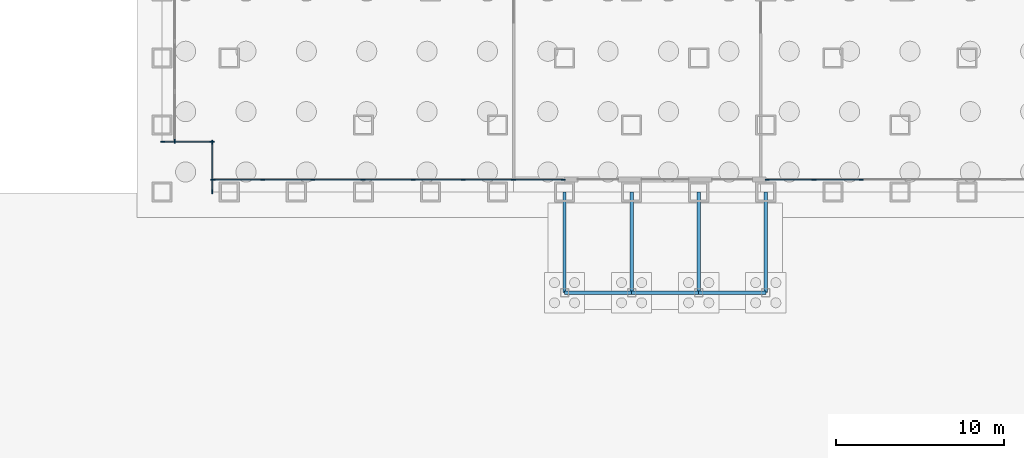
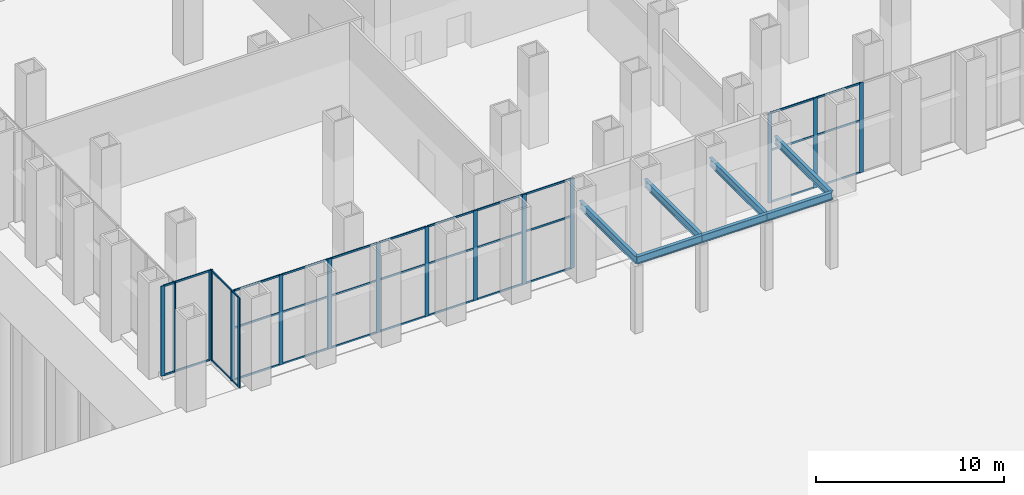
# One storey, part 6 of 17: 47 members, 7 beams, 5 elements without a shape of their own.
"""IFC4 building model written with IfcOpenShell, lengths in metres."""

from ifc_helpers import new_model, si_unit, direction, frame, origin, origin_2d, place, context, subcontext, project, spatial, rectangle, i_section, extrude, material, material_profile, profile_set, type_object, element, aggregate, save


model = new_model("IFC4")

# Units and contexts
model_context = context("Model", 3, precision=1e-05, world=origin(), true_north=direction((0.0, 1.0)))
body_context = subcontext(model_context, "Body", "Model", "MODEL_VIEW")
ifc_project = project(units=[si_unit("LENGTHUNIT", "METRE"), si_unit("AREAUNIT", "SQUARE_METRE"), si_unit("VOLUMEUNIT", "CUBIC_METRE"), si_unit("PLANEANGLEUNIT", "RADIAN"), si_unit("MASSUNIT", "GRAM", prefix="KILO")], contexts=[model_context])

# Site, building, storey
site_placement = place(None, origin())
site = spatial("IfcSite", under=ifc_project, at=site_placement, CompositionType="ELEMENT")
building_placement = place(site_placement, origin())
building = spatial("IfcBuilding", under=site, at=building_placement, Name="Rimbunsela Tower", CompositionType="ELEMENT")
storey_placement = place(building_placement, origin())
storey = spatial("IfcBuildingStorey", under=building, at=storey_placement, Name="L00", CompositionType="ELEMENT", Elevation=0.0)

# Curtain wall, members
ifc_material_1 = material(Name="Aluminium curtain wall", Category="aluminium")
curtain_wall_type_1 = type_object("IfcCurtainWallType", Name="Podium glazing", PredefinedType="USERDEFINED", material=ifc_material_1)
curtain_wall_1_placement = place(storey_placement, origin())
curtain_wall_1 = element("IfcCurtainWall", 1, at=curtain_wall_1_placement, inside=storey, type_object=curtain_wall_type_1, Name="Podium glazing L00", ObjectType="PODIUM GLAZING", PredefinedType="USERDEFINED")
ifc_material_2 = material(Name="Aluminium mullion", Category="aluminium")
ifc_material_profile_1 = material_profile(ifc_material_2, rectangle(XDim=0.06005859375, YDim=0.25, at=origin_2d()), Name="Mullion 60x250")
ifc_profile_set_1 = profile_set([ifc_material_profile_1], Name="Aluminium mullion")
member_type_1 = type_object("IfcMemberType", Name="Curtain wall mullion 60x250", PredefinedType="MULLION", material=ifc_profile_set_1)
member_1_placement = place(storey_placement, frame((-2.969970703125, -3.25, 0.0), z_axis=(0.0, 0.0, 1.0), x_axis=(0.0, 1.0, 0.0)))
member_1 = element("IfcMember", 2, at=member_1_placement, type_object=member_type_1, Name="CW1 mullion 1", PredefinedType="MULLION", context=body_context, shape_type="SweptSolid", body=[
    extrude(rectangle(XDim=0.06005859375, YDim=0.25, at=origin_2d()), origin(), (0.0, 0.0, 1.0), 5.85009765625),
])
member_2_placement = place(storey_placement, frame((-0.007080078125, -3.25, 0.0), z_axis=(0.0, 0.0, 1.0), x_axis=(0.0, 1.0, 0.0)))
member_2 = element("IfcMember", 3, at=member_2_placement, type_object=member_type_1, Name="CW1 mullion 2", PredefinedType="MULLION", context=body_context, shape_type="SweptSolid", body=[
    extrude(rectangle(XDim=0.06005859375, YDim=0.25, at=origin_2d()), origin(), (0.0, 0.0, 1.0), 5.85009765625),
])
member_3_placement = place(storey_placement, frame((2.985595703125, -3.25, 0.0), z_axis=(0.0, 0.0, 1.0), x_axis=(0.0, 1.0, 0.0)))
member_3 = element("IfcMember", 4, at=member_3_placement, type_object=member_type_1, Name="CW1 mullion 3", PredefinedType="MULLION", context=body_context, shape_type="SweptSolid", body=[
    extrude(rectangle(XDim=0.06005859375, YDim=0.25, at=origin_2d()), origin(), (0.0, 0.0, 1.0), 5.85009765625),
])
member_4_placement = place(storey_placement, frame((5.978515625, -3.25, 0.0), z_axis=(0.0, 0.0, 1.0), x_axis=(0.0, 1.0, 0.0)))
member_4 = element("IfcMember", 5, at=member_4_placement, type_object=member_type_1, Name="CW1 mullion 4", PredefinedType="MULLION", context=body_context, shape_type="SweptSolid", body=[
    extrude(rectangle(XDim=0.06005859375, YDim=0.25, at=origin_2d()), origin(), (0.0, 0.0, 1.0), 5.85009765625),
])
member_5_placement = place(storey_placement, frame((8.971435546875, -3.25, 0.0), z_axis=(0.0, 0.0, 1.0), x_axis=(0.0, 1.0, 0.0)))
member_5 = element("IfcMember", 6, at=member_5_placement, type_object=member_type_1, Name="CW1 mullion 5", PredefinedType="MULLION", context=body_context, shape_type="SweptSolid", body=[
    extrude(rectangle(XDim=0.06005859375, YDim=0.25, at=origin_2d()), origin(), (0.0, 0.0, 1.0), 5.85009765625),
])
member_6_placement = place(storey_placement, frame((11.96435546875, -3.25, 0.0), z_axis=(0.0, 0.0, 1.0), x_axis=(0.0, 1.0, 0.0)))
member_6 = element("IfcMember", 7, at=member_6_placement, type_object=member_type_1, Name="CW1 mullion 6", PredefinedType="MULLION", context=body_context, shape_type="SweptSolid", body=[
    extrude(rectangle(XDim=0.06005859375, YDim=0.25, at=origin_2d()), origin(), (0.0, 0.0, 1.0), 5.85009765625),
])
member_7_placement = place(storey_placement, frame((14.95703125, -3.25, 0.0), z_axis=(0.0, 0.0, 1.0), x_axis=(0.0, 1.0, 0.0)))
member_7 = element("IfcMember", 8, at=member_7_placement, type_object=member_type_1, Name="CW1 mullion 7", PredefinedType="MULLION", context=body_context, shape_type="SweptSolid", body=[
    extrude(rectangle(XDim=0.06005859375, YDim=0.25, at=origin_2d()), origin(), (0.0, 0.0, 1.0), 5.85009765625),
])
member_8_placement = place(storey_placement, frame((17.919921875, -3.25, 0.0), z_axis=(0.0, 0.0, 1.0), x_axis=(0.0, 1.0, 0.0)))
member_8 = element("IfcMember", 9, at=member_8_placement, type_object=member_type_1, Name="CW1 mullion 8", PredefinedType="MULLION", context=body_context, shape_type="SweptSolid", body=[
    extrude(rectangle(XDim=0.06005859375, YDim=0.25, at=origin_2d()), origin(), (0.0, 0.0, 1.0), 5.85009765625),
])

curtain_wall_2_placement = place(storey_placement, origin())
curtain_wall_2 = element("IfcCurtainWall", 10, at=curtain_wall_2_placement, inside=storey, type_object=curtain_wall_type_1, Name="Podium glazing L00", ObjectType="PODIUM GLAZING", PredefinedType="USERDEFINED")
member_9_placement = place(storey_placement, frame((30.080078125, -3.25, 0.0), z_axis=(0.0, 0.0, 1.0), x_axis=(0.0, 1.0, 0.0)))
member_9 = element("IfcMember", 11, at=member_9_placement, type_object=member_type_1, Name="CW1 mullion 1", PredefinedType="MULLION", context=body_context, shape_type="SweptSolid", body=[
    extrude(rectangle(XDim=0.06005859375, YDim=0.25, at=origin_2d()), origin(), (0.0, 0.0, 1.0), 5.85009765625),
])
member_10_placement = place(storey_placement, frame((32.875, -3.25, 0.0), z_axis=(0.0, 0.0, 1.0), x_axis=(0.0, 1.0, 0.0)))
member_10 = element("IfcMember", 12, at=member_10_placement, type_object=member_type_1, Name="CW1 mullion 2", PredefinedType="MULLION", context=body_context, shape_type="SweptSolid", body=[
    extrude(rectangle(XDim=0.06005859375, YDim=0.25, at=origin_2d()), origin(), (0.0, 0.0, 1.0), 5.85009765625),
])
member_11_placement = place(storey_placement, frame((35.699951171875, -3.25, 0.0), z_axis=(0.0, 0.0, 1.0), x_axis=(0.0, 1.0, 0.0)))
member_11 = element("IfcMember", 13, at=member_11_placement, type_object=member_type_1, Name="CW1 mullion 3", PredefinedType="MULLION", context=body_context, shape_type="SweptSolid", body=[
    extrude(rectangle(XDim=0.06005859375, YDim=0.25, at=origin_2d()), origin(), (0.0, 0.0, 1.0), 5.85009765625),
])

# Curtain wall, member
curtain_wall_3_placement = place(storey_placement, origin())
curtain_wall_3 = element("IfcCurtainWall", 14, at=curtain_wall_3_placement, inside=storey, type_object=curtain_wall_type_1, Name="Podium glazing L00", ObjectType="PODIUM GLAZING", PredefinedType="USERDEFINED")
member_12_placement = place(storey_placement, frame((-5.25, -0.969970703125, 0.0), z_axis=(0.0, 0.0, 1.0), x_axis=(1.0, 0.0, 0.0)))
member_12 = element("IfcMember", 15, at=member_12_placement, type_object=member_type_1, Name="CW1 mullion 15", PredefinedType="MULLION", context=body_context, shape_type="SweptSolid", body=[
    extrude(rectangle(XDim=0.06005859375, YDim=0.25, at=origin_2d()), origin(), (0.0, 0.0, 1.0), 5.85009765625),
])
aggregate(curtain_wall_3, [member_12])

# Curtain wall, members
ifc_material_3 = material(Name="Aluminium curtain wall", Category="aluminium")
curtain_wall_type_2 = type_object("IfcCurtainWallType", Name="Corner glazing", PredefinedType="USERDEFINED", material=ifc_material_3)
curtain_wall_4_placement = place(storey_placement, origin())
curtain_wall_4 = element("IfcCurtainWall", 16, at=curtain_wall_4_placement, inside=storey, type_object=curtain_wall_type_2, Name="Corner glazing L00", ObjectType="CORNER GLAZING", PredefinedType="USERDEFINED")
member_13_placement = place(storey_placement, frame((-5.969970703125, -1.0, 0.0), z_axis=(0.0, 0.0, 1.0), x_axis=(0.0, 1.0, 0.0)))
member_13 = element("IfcMember", 17, at=member_13_placement, type_object=member_type_1, Name="CW5 mullion 1", PredefinedType="MULLION", context=body_context, shape_type="SweptSolid", body=[
    extrude(rectangle(XDim=0.06005859375, YDim=0.25, at=origin_2d()), origin(), (0.0, 0.0, 1.0), 5.85009765625),
])
member_14_placement = place(storey_placement, frame((-3.030029296875, -1.0, 0.0), z_axis=(0.0, 0.0, 1.0), x_axis=(0.0, 1.0, 0.0)))
member_14 = element("IfcMember", 18, at=member_14_placement, type_object=member_type_1, Name="CW5 mullion 2", PredefinedType="MULLION", context=body_context, shape_type="SweptSolid", body=[
    extrude(rectangle(XDim=0.06005859375, YDim=0.25, at=origin_2d()), origin(), (0.0, 0.0, 1.0), 5.85009765625),
])

curtain_wall_5_placement = place(storey_placement, origin())
curtain_wall_5 = element("IfcCurtainWall", 19, at=curtain_wall_5_placement, inside=storey, type_object=curtain_wall_type_2, Name="Corner glazing L00", ObjectType="CORNER GLAZING", PredefinedType="USERDEFINED")
member_15_placement = place(storey_placement, frame((-3.0, -1.030029296875, 0.0), z_axis=(0.0, 0.0, 1.0), x_axis=(1.0, 0.0, 0.0)))
member_15 = element("IfcMember", 20, at=member_15_placement, type_object=member_type_1, Name="CW5 mullion 1", PredefinedType="MULLION", context=body_context, shape_type="SweptSolid", body=[
    extrude(rectangle(XDim=0.06005859375, YDim=0.25, at=origin_2d()), origin(), (0.0, 0.0, 1.0), 5.85009765625),
])
member_16_placement = place(storey_placement, frame((-3.0, -3.969970703125, 0.0), z_axis=(0.0, 0.0, 1.0), x_axis=(1.0, 0.0, 0.0)))
member_16 = element("IfcMember", 21, at=member_16_placement, type_object=member_type_1, Name="CW5 mullion 2", PredefinedType="MULLION", context=body_context, shape_type="SweptSolid", body=[
    extrude(rectangle(XDim=0.06005859375, YDim=0.25, at=origin_2d()), origin(), (0.0, 0.0, 1.0), 5.85009765625),
])

# Member
ifc_material_4 = material(Name="Aluminium transom", Category="aluminium")
ifc_material_profile_2 = material_profile(ifc_material_4, rectangle(XDim=0.06005859375, YDim=0.1201171875, at=origin_2d()), Name="Transom 60x120")
ifc_profile_set_2 = profile_set([ifc_material_profile_2], Name="Aluminium transom")
member_type_2 = type_object("IfcMemberType", Name="Curtain wall transom 60x120", PredefinedType="USERDEFINED", material=ifc_profile_set_2)
member_17_placement = place(storey_placement, frame((-2.93994140625, -3.25, 0.030029296875), z_axis=(1.0, 0.0, 0.0), x_axis=(0.0, 1.0, 0.0)))
member_17 = element("IfcMember", 22, at=member_17_placement, type_object=member_type_2, Name="CW1 transom 1.1", ObjectType="TRANSOM", PredefinedType="USERDEFINED", context=body_context, shape_type="SweptSolid", body=[
    extrude(rectangle(XDim=0.06005859375, YDim=0.1201171875, at=origin_2d()), origin(), (0.0, 0.0, 1.0), 2.90283203125),
])

member_18_placement = place(storey_placement, frame((-2.93994140625, -3.25, 3.39990234375), z_axis=(1.0, 0.0, 0.0), x_axis=(0.0, 1.0, 0.0)))
member_18 = element("IfcMember", 23, at=member_18_placement, type_object=member_type_2, Name="CW1 transom 1.2", ObjectType="TRANSOM", PredefinedType="USERDEFINED", context=body_context, shape_type="SweptSolid", body=[
    extrude(rectangle(XDim=0.06005859375, YDim=0.1201171875, at=origin_2d()), origin(), (0.0, 0.0, 1.0), 2.90283203125),
])

member_19_placement = place(storey_placement, frame((-2.93994140625, -3.25, 5.820068359375), z_axis=(1.0, 0.0, 0.0), x_axis=(0.0, 1.0, 0.0)))
member_19 = element("IfcMember", 24, at=member_19_placement, type_object=member_type_2, Name="CW1 transom 1.3", ObjectType="TRANSOM", PredefinedType="USERDEFINED", context=body_context, shape_type="SweptSolid", body=[
    extrude(rectangle(XDim=0.06005859375, YDim=0.1201171875, at=origin_2d()), origin(), (0.0, 0.0, 1.0), 2.90283203125),
])

member_20_placement = place(storey_placement, frame((0.02294921875, -3.25, 0.030029296875), z_axis=(1.0, 0.0, 0.0), x_axis=(0.0, 1.0, 0.0)))
member_20 = element("IfcMember", 25, at=member_20_placement, type_object=member_type_2, Name="CW1 transom 2.1", ObjectType="TRANSOM", PredefinedType="USERDEFINED", context=body_context, shape_type="SweptSolid", body=[
    extrude(rectangle(XDim=0.06005859375, YDim=0.1201171875, at=origin_2d()), origin(), (0.0, 0.0, 1.0), 2.932861328125),
])

member_21_placement = place(storey_placement, frame((0.02294921875, -3.25, 3.39990234375), z_axis=(1.0, 0.0, 0.0), x_axis=(0.0, 1.0, 0.0)))
member_21 = element("IfcMember", 26, at=member_21_placement, type_object=member_type_2, Name="CW1 transom 2.2", ObjectType="TRANSOM", PredefinedType="USERDEFINED", context=body_context, shape_type="SweptSolid", body=[
    extrude(rectangle(XDim=0.06005859375, YDim=0.1201171875, at=origin_2d()), origin(), (0.0, 0.0, 1.0), 2.932861328125),
])

member_22_placement = place(storey_placement, frame((0.02294921875, -3.25, 5.820068359375), z_axis=(1.0, 0.0, 0.0), x_axis=(0.0, 1.0, 0.0)))
member_22 = element("IfcMember", 27, at=member_22_placement, type_object=member_type_2, Name="CW1 transom 2.3", ObjectType="TRANSOM", PredefinedType="USERDEFINED", context=body_context, shape_type="SweptSolid", body=[
    extrude(rectangle(XDim=0.06005859375, YDim=0.1201171875, at=origin_2d()), origin(), (0.0, 0.0, 1.0), 2.932861328125),
])

member_23_placement = place(storey_placement, frame((3.015625, -3.25, 0.030029296875), z_axis=(1.0, 0.0, 0.0), x_axis=(0.0, 1.0, 0.0)))
member_23 = element("IfcMember", 28, at=member_23_placement, type_object=member_type_2, Name="CW1 transom 3.1", ObjectType="TRANSOM", PredefinedType="USERDEFINED", context=body_context, shape_type="SweptSolid", body=[
    extrude(rectangle(XDim=0.06005859375, YDim=0.1201171875, at=origin_2d()), origin(), (0.0, 0.0, 1.0), 2.932861328125),
])

member_24_placement = place(storey_placement, frame((3.015625, -3.25, 3.39990234375), z_axis=(1.0, 0.0, 0.0), x_axis=(0.0, 1.0, 0.0)))
member_24 = element("IfcMember", 29, at=member_24_placement, type_object=member_type_2, Name="CW1 transom 3.2", ObjectType="TRANSOM", PredefinedType="USERDEFINED", context=body_context, shape_type="SweptSolid", body=[
    extrude(rectangle(XDim=0.06005859375, YDim=0.1201171875, at=origin_2d()), origin(), (0.0, 0.0, 1.0), 2.932861328125),
])

member_25_placement = place(storey_placement, frame((3.015625, -3.25, 5.820068359375), z_axis=(1.0, 0.0, 0.0), x_axis=(0.0, 1.0, 0.0)))
member_25 = element("IfcMember", 30, at=member_25_placement, type_object=member_type_2, Name="CW1 transom 3.3", ObjectType="TRANSOM", PredefinedType="USERDEFINED", context=body_context, shape_type="SweptSolid", body=[
    extrude(rectangle(XDim=0.06005859375, YDim=0.1201171875, at=origin_2d()), origin(), (0.0, 0.0, 1.0), 2.932861328125),
])

member_26_placement = place(storey_placement, frame((6.008544921875, -3.25, 0.030029296875), z_axis=(1.0, 0.0, 0.0), x_axis=(0.0, 1.0, 0.0)))
member_26 = element("IfcMember", 31, at=member_26_placement, type_object=member_type_2, Name="CW1 transom 4.1", ObjectType="TRANSOM", PredefinedType="USERDEFINED", context=body_context, shape_type="SweptSolid", body=[
    extrude(rectangle(XDim=0.06005859375, YDim=0.1201171875, at=origin_2d()), origin(), (0.0, 0.0, 1.0), 2.932861328125),
])

member_27_placement = place(storey_placement, frame((6.008544921875, -3.25, 3.39990234375), z_axis=(1.0, 0.0, 0.0), x_axis=(0.0, 1.0, 0.0)))
member_27 = element("IfcMember", 32, at=member_27_placement, type_object=member_type_2, Name="CW1 transom 4.2", ObjectType="TRANSOM", PredefinedType="USERDEFINED", context=body_context, shape_type="SweptSolid", body=[
    extrude(rectangle(XDim=0.06005859375, YDim=0.1201171875, at=origin_2d()), origin(), (0.0, 0.0, 1.0), 2.932861328125),
])

member_28_placement = place(storey_placement, frame((6.008544921875, -3.25, 5.820068359375), z_axis=(1.0, 0.0, 0.0), x_axis=(0.0, 1.0, 0.0)))
member_28 = element("IfcMember", 33, at=member_28_placement, type_object=member_type_2, Name="CW1 transom 4.3", ObjectType="TRANSOM", PredefinedType="USERDEFINED", context=body_context, shape_type="SweptSolid", body=[
    extrude(rectangle(XDim=0.06005859375, YDim=0.1201171875, at=origin_2d()), origin(), (0.0, 0.0, 1.0), 2.932861328125),
])

member_29_placement = place(storey_placement, frame((9.00146484375, -3.25, 0.030029296875), z_axis=(1.0, 0.0, 0.0), x_axis=(0.0, 1.0, 0.0)))
member_29 = element("IfcMember", 34, at=member_29_placement, type_object=member_type_2, Name="CW1 transom 5.1", ObjectType="TRANSOM", PredefinedType="USERDEFINED", context=body_context, shape_type="SweptSolid", body=[
    extrude(rectangle(XDim=0.06005859375, YDim=0.1201171875, at=origin_2d()), origin(), (0.0, 0.0, 1.0), 2.932861328125),
])

member_30_placement = place(storey_placement, frame((9.00146484375, -3.25, 3.39990234375), z_axis=(1.0, 0.0, 0.0), x_axis=(0.0, 1.0, 0.0)))
member_30 = element("IfcMember", 35, at=member_30_placement, type_object=member_type_2, Name="CW1 transom 5.2", ObjectType="TRANSOM", PredefinedType="USERDEFINED", context=body_context, shape_type="SweptSolid", body=[
    extrude(rectangle(XDim=0.06005859375, YDim=0.1201171875, at=origin_2d()), origin(), (0.0, 0.0, 1.0), 2.932861328125),
])

member_31_placement = place(storey_placement, frame((9.00146484375, -3.25, 5.820068359375), z_axis=(1.0, 0.0, 0.0), x_axis=(0.0, 1.0, 0.0)))
member_31 = element("IfcMember", 36, at=member_31_placement, type_object=member_type_2, Name="CW1 transom 5.3", ObjectType="TRANSOM", PredefinedType="USERDEFINED", context=body_context, shape_type="SweptSolid", body=[
    extrude(rectangle(XDim=0.06005859375, YDim=0.1201171875, at=origin_2d()), origin(), (0.0, 0.0, 1.0), 2.932861328125),
])

member_32_placement = place(storey_placement, frame((11.994384765625, -3.25, 0.030029296875), z_axis=(1.0, 0.0, 0.0), x_axis=(0.0, 1.0, 0.0)))
member_32 = element("IfcMember", 37, at=member_32_placement, type_object=member_type_2, Name="CW1 transom 6.1", ObjectType="TRANSOM", PredefinedType="USERDEFINED", context=body_context, shape_type="SweptSolid", body=[
    extrude(rectangle(XDim=0.06005859375, YDim=0.1201171875, at=origin_2d()), origin(), (0.0, 0.0, 1.0), 2.932861328125),
])

member_33_placement = place(storey_placement, frame((11.994384765625, -3.25, 3.39990234375), z_axis=(1.0, 0.0, 0.0), x_axis=(0.0, 1.0, 0.0)))
member_33 = element("IfcMember", 38, at=member_33_placement, type_object=member_type_2, Name="CW1 transom 6.2", ObjectType="TRANSOM", PredefinedType="USERDEFINED", context=body_context, shape_type="SweptSolid", body=[
    extrude(rectangle(XDim=0.06005859375, YDim=0.1201171875, at=origin_2d()), origin(), (0.0, 0.0, 1.0), 2.932861328125),
])

member_34_placement = place(storey_placement, frame((11.994384765625, -3.25, 5.820068359375), z_axis=(1.0, 0.0, 0.0), x_axis=(0.0, 1.0, 0.0)))
member_34 = element("IfcMember", 39, at=member_34_placement, type_object=member_type_2, Name="CW1 transom 6.3", ObjectType="TRANSOM", PredefinedType="USERDEFINED", context=body_context, shape_type="SweptSolid", body=[
    extrude(rectangle(XDim=0.06005859375, YDim=0.1201171875, at=origin_2d()), origin(), (0.0, 0.0, 1.0), 2.932861328125),
])

member_35_placement = place(storey_placement, frame((14.987060546875, -3.25, 0.030029296875), z_axis=(1.0, 0.0, 0.0), x_axis=(0.0, 1.0, 0.0)))
member_35 = element("IfcMember", 40, at=member_35_placement, type_object=member_type_2, Name="CW1 transom 7.1", ObjectType="TRANSOM", PredefinedType="USERDEFINED", context=body_context, shape_type="SweptSolid", body=[
    extrude(rectangle(XDim=0.06005859375, YDim=0.1201171875, at=origin_2d()), origin(), (0.0, 0.0, 1.0), 2.90283203125),
])

member_36_placement = place(storey_placement, frame((14.987060546875, -3.25, 3.39990234375), z_axis=(1.0, 0.0, 0.0), x_axis=(0.0, 1.0, 0.0)))
member_36 = element("IfcMember", 41, at=member_36_placement, type_object=member_type_2, Name="CW1 transom 7.2", ObjectType="TRANSOM", PredefinedType="USERDEFINED", context=body_context, shape_type="SweptSolid", body=[
    extrude(rectangle(XDim=0.06005859375, YDim=0.1201171875, at=origin_2d()), origin(), (0.0, 0.0, 1.0), 2.90283203125),
])

member_37_placement = place(storey_placement, frame((14.987060546875, -3.25, 5.820068359375), z_axis=(1.0, 0.0, 0.0), x_axis=(0.0, 1.0, 0.0)))
member_37 = element("IfcMember", 42, at=member_37_placement, type_object=member_type_2, Name="CW1 transom 7.3", ObjectType="TRANSOM", PredefinedType="USERDEFINED", context=body_context, shape_type="SweptSolid", body=[
    extrude(rectangle(XDim=0.06005859375, YDim=0.1201171875, at=origin_2d()), origin(), (0.0, 0.0, 1.0), 2.90283203125),
])

aggregate(curtain_wall_1, [member_1, member_2, member_3, member_4, member_5, member_6, member_7, member_8, member_17, member_18, member_19, member_20, member_21, member_22, member_23, member_24, member_25, member_26, member_27, member_28, member_29, member_30, member_31, member_32, member_33, member_34, member_35, member_36, member_37])

member_38_placement = place(storey_placement, frame((30.110107421875, -3.25, 0.030029296875), z_axis=(1.0, 0.0, 0.0), x_axis=(0.0, 1.0, 0.0)))
member_38 = element("IfcMember", 43, at=member_38_placement, type_object=member_type_2, Name="CW1 transom 1.1", ObjectType="TRANSOM", PredefinedType="USERDEFINED", context=body_context, shape_type="SweptSolid", body=[
    extrude(rectangle(XDim=0.06005859375, YDim=0.1201171875, at=origin_2d()), origin(), (0.0, 0.0, 1.0), 2.73486328125),
])

member_39_placement = place(storey_placement, frame((30.110107421875, -3.25, 3.39990234375), z_axis=(1.0, 0.0, 0.0), x_axis=(0.0, 1.0, 0.0)))
member_39 = element("IfcMember", 44, at=member_39_placement, type_object=member_type_2, Name="CW1 transom 1.2", ObjectType="TRANSOM", PredefinedType="USERDEFINED", context=body_context, shape_type="SweptSolid", body=[
    extrude(rectangle(XDim=0.06005859375, YDim=0.1201171875, at=origin_2d()), origin(), (0.0, 0.0, 1.0), 2.73486328125),
])

member_40_placement = place(storey_placement, frame((30.110107421875, -3.25, 5.820068359375), z_axis=(1.0, 0.0, 0.0), x_axis=(0.0, 1.0, 0.0)))
member_40 = element("IfcMember", 45, at=member_40_placement, type_object=member_type_2, Name="CW1 transom 1.3", ObjectType="TRANSOM", PredefinedType="USERDEFINED", context=body_context, shape_type="SweptSolid", body=[
    extrude(rectangle(XDim=0.06005859375, YDim=0.1201171875, at=origin_2d()), origin(), (0.0, 0.0, 1.0), 2.73486328125),
])

member_41_placement = place(storey_placement, frame((32.905029296875, -3.25, 0.030029296875), z_axis=(1.0, 0.0, 0.0), x_axis=(0.0, 1.0, 0.0)))
member_41 = element("IfcMember", 46, at=member_41_placement, type_object=member_type_2, Name="CW1 transom 2.1", ObjectType="TRANSOM", PredefinedType="USERDEFINED", context=body_context, shape_type="SweptSolid", body=[
    extrude(rectangle(XDim=0.06005859375, YDim=0.1201171875, at=origin_2d()), origin(), (0.0, 0.0, 1.0), 2.764892578125),
])

member_42_placement = place(storey_placement, frame((32.905029296875, -3.25, 3.39990234375), z_axis=(1.0, 0.0, 0.0), x_axis=(0.0, 1.0, 0.0)))
member_42 = element("IfcMember", 47, at=member_42_placement, type_object=member_type_2, Name="CW1 transom 2.2", ObjectType="TRANSOM", PredefinedType="USERDEFINED", context=body_context, shape_type="SweptSolid", body=[
    extrude(rectangle(XDim=0.06005859375, YDim=0.1201171875, at=origin_2d()), origin(), (0.0, 0.0, 1.0), 2.764892578125),
])

member_43_placement = place(storey_placement, frame((32.905029296875, -3.25, 5.820068359375), z_axis=(1.0, 0.0, 0.0), x_axis=(0.0, 1.0, 0.0)))
member_43 = element("IfcMember", 48, at=member_43_placement, type_object=member_type_2, Name="CW1 transom 2.3", ObjectType="TRANSOM", PredefinedType="USERDEFINED", context=body_context, shape_type="SweptSolid", body=[
    extrude(rectangle(XDim=0.06005859375, YDim=0.1201171875, at=origin_2d()), origin(), (0.0, 0.0, 1.0), 2.764892578125),
])

aggregate(curtain_wall_2, [member_9, member_10, member_11, member_38, member_39, member_40, member_41, member_42, member_43])

member_44_placement = place(storey_placement, frame((-5.93994140625, -1.0, 0.030029296875), z_axis=(1.0, 0.0, 0.0), x_axis=(0.0, 1.0, 0.0)))
member_44 = element("IfcMember", 49, at=member_44_placement, type_object=member_type_2, Name="CW5 transom 1.1", ObjectType="TRANSOM", PredefinedType="USERDEFINED", context=body_context, shape_type="SweptSolid", body=[
    extrude(rectangle(XDim=0.06005859375, YDim=0.1201171875, at=origin_2d()), origin(), (0.0, 0.0, 1.0), 2.8798828125),
])

member_45_placement = place(storey_placement, frame((-5.93994140625, -1.0, 5.820068359375), z_axis=(1.0, 0.0, 0.0), x_axis=(0.0, 1.0, 0.0)))
member_45 = element("IfcMember", 50, at=member_45_placement, type_object=member_type_2, Name="CW5 transom 1.2", ObjectType="TRANSOM", PredefinedType="USERDEFINED", context=body_context, shape_type="SweptSolid", body=[
    extrude(rectangle(XDim=0.06005859375, YDim=0.1201171875, at=origin_2d()), origin(), (0.0, 0.0, 1.0), 2.8798828125),
])

aggregate(curtain_wall_4, [member_13, member_14, member_44, member_45])

member_46_placement = place(storey_placement, frame((-3.0, -1.06005859375, 0.030029296875), z_axis=(0.0, -1.0, 0.0), x_axis=(1.0, 0.0, 0.0)))
member_46 = element("IfcMember", 51, at=member_46_placement, type_object=member_type_2, Name="CW5 transom 1.1", ObjectType="TRANSOM", PredefinedType="USERDEFINED", context=body_context, shape_type="SweptSolid", body=[
    extrude(rectangle(XDim=0.06005859375, YDim=0.1201171875, at=origin_2d()), origin(), (0.0, 0.0, 1.0), 2.8798828125),
])

member_47_placement = place(storey_placement, frame((-3.0, -1.06005859375, 5.820068359375), z_axis=(0.0, -1.0, 0.0), x_axis=(1.0, 0.0, 0.0)))
member_47 = element("IfcMember", 52, at=member_47_placement, type_object=member_type_2, Name="CW5 transom 1.2", ObjectType="TRANSOM", PredefinedType="USERDEFINED", context=body_context, shape_type="SweptSolid", body=[
    extrude(rectangle(XDim=0.06005859375, YDim=0.1201171875, at=origin_2d()), origin(), (0.0, 0.0, 1.0), 2.8798828125),
])

aggregate(curtain_wall_5, [member_15, member_16, member_46, member_47])

# Beams
ifc_material_5 = material(Name="Steel BJ 55 (fy 410 MPa)", Category="steel")
ifc_material_profile_3 = material_profile(ifc_material_5, i_section(OverallWidth=0.199951171875, OverallDepth=0.5, WebThickness=0.010009765625, FlangeThickness=0.01611328125, FilletRadius=0.02001953125, at=origin_2d()), Name="H 500x200x10x16")
ifc_profile_set_3 = profile_set([ifc_material_profile_3], Name="Steel BJ 55 (fy 410 MPa)")
beam_type = type_object("IfcBeamType", Name="Entrance canopy beam H 500x200x10x16", PredefinedType="BEAM", material=ifc_profile_set_3)
for number, where, z_axis, x_axis, name in (
    (53, (18.0, -10.0, 4.60009765625), (0.0, 1.0, 0.0), (-1.0, 0.0, 0.0), "Entrance canopy beam CB2"),
    (54, (22.0, -10.0, 4.60009765625), (0.0, 1.0, 0.0), (-1.0, 0.0, 0.0), "Entrance canopy beam CB2"),
    (55, (26.0, -10.0, 4.60009765625), (0.0, 1.0, 0.0), (-1.0, 0.0, 0.0), "Entrance canopy beam CB2"),
    (56, (30.0, -10.0, 4.60009765625), (0.0, 1.0, 0.0), (-1.0, 0.0, 0.0), "Entrance canopy beam CB2"),
):
    element("IfcBeam", number, at=place(storey_placement, frame(where, z_axis=z_axis, x_axis=x_axis)), inside=storey, type_object=beam_type, Name=name, PredefinedType="BEAM", context=body_context, shape_type="SweptSolid", body=[
        extrude(i_section(OverallWidth=0.199951171875, OverallDepth=0.5, WebThickness=0.010009765625, FlangeThickness=0.01611328125, FilletRadius=0.02001953125, at=origin_2d()), origin(), (0.0, 0.0, 1.0), 6.0),
    ])
for number, where, z_axis, x_axis, name in (
    (57, (18.0, -10.0, 4.60009765625), (1.0, 0.0, 0.0), (0.0, 1.0, 0.0), "Entrance canopy edge beam CB2"),
    (58, (22.0, -10.0, 4.60009765625), (1.0, 0.0, 0.0), (0.0, 1.0, 0.0), "Entrance canopy edge beam CB2"),
    (59, (26.0, -10.0, 4.60009765625), (1.0, 0.0, 0.0), (0.0, 1.0, 0.0), "Entrance canopy edge beam CB2"),
):
    element("IfcBeam", number, at=place(storey_placement, frame(where, z_axis=z_axis, x_axis=x_axis)), inside=storey, type_object=beam_type, Name=name, PredefinedType="BEAM", context=body_context, shape_type="SweptSolid", body=[
        extrude(i_section(OverallWidth=0.199951171875, OverallDepth=0.5, WebThickness=0.010009765625, FlangeThickness=0.01611328125, FilletRadius=0.02001953125, at=origin_2d()), origin(), (0.0, 0.0, 1.0), 4.0),
    ])

save(model, "model.ifc")
